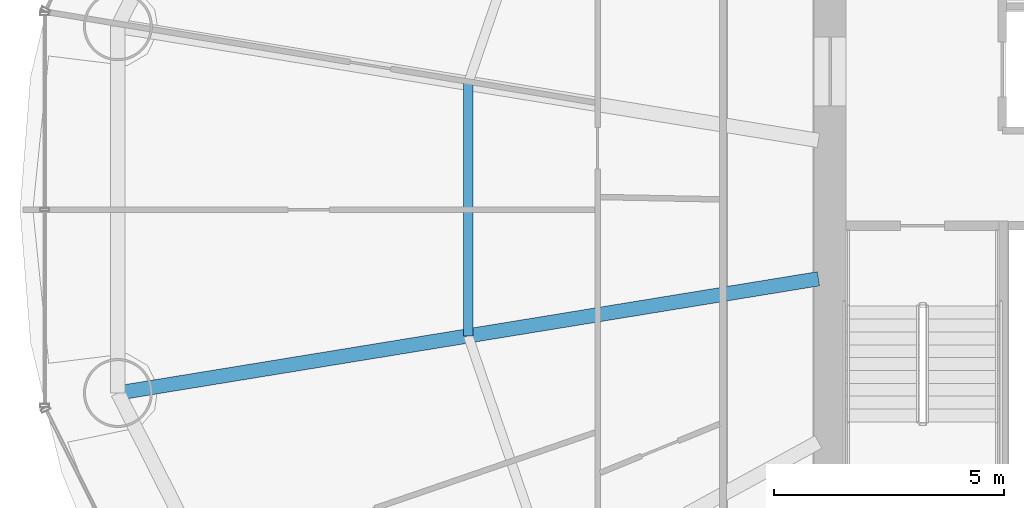
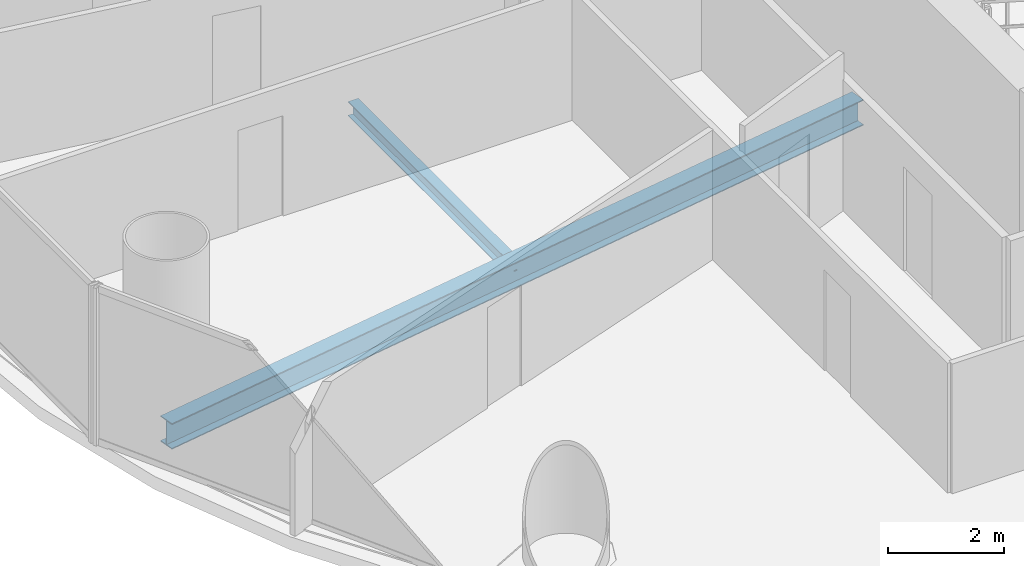
# One storey, part 8 of 29: 2 beams.
"""IFC4 building model written with IfcOpenShell, lengths in metres."""

from ifc_helpers import new_model, si_unit, direction, frame, origin, origin_2d, place, context, subcontext, project, spatial, i_section, extrude, material, material_profile, profile_set, type_object, element, save


model = new_model("IFC4")

# Units and contexts
model_context = context("Model", 3, precision=1e-05, world=origin(), true_north=direction((-0.2419218956, 0.970295726276)))
body_context = subcontext(model_context, "Body", "Model", "MODEL_VIEW")
ifc_project = project(units=[si_unit("LENGTHUNIT", "METRE"), si_unit("AREAUNIT", "SQUARE_METRE"), si_unit("VOLUMEUNIT", "CUBIC_METRE"), si_unit("PLANEANGLEUNIT", "RADIAN"), si_unit("MASSUNIT", "GRAM", prefix="KILO")], contexts=[model_context])

# Site, building, storey
site_placement = place(None, origin())
site = spatial("IfcSite", under=ifc_project, at=site_placement, CompositionType="ELEMENT")
building_placement = place(site_placement, origin())
building = spatial("IfcBuilding", under=site, at=building_placement, Name="Cobrevalo Terracotta Tower", CompositionType="ELEMENT")
storey_placement = place(building_placement, frame((0.0, 0.0, 119.39990234375)))
storey = spatial("IfcBuildingStorey", under=building, at=storey_placement, Name="L31", CompositionType="ELEMENT", Elevation=119.39990234375)

# Beams
ifc_material = material(Name="Steel S355", Category="steel")
ifc_material_profile_1 = material_profile(ifc_material, i_section(OverallWidth=0.31201171875, OverallDepth=0.54296875, WebThickness=0.0126953125, FlangeThickness=0.020263671875, at=origin_2d()), Name="W 530x150")
ifc_profile_set_1 = profile_set([ifc_material_profile_1], Name="Steel S355")
beam_type_1 = type_object("IfcBeamType", Name="Structural Beam W 530x150 (Steel S355)", PredefinedType="BEAM", material=ifc_profile_set_1)
beam_1_placement = place(storey_placement, frame((13.529296875, 22.810302734375, -0.54638671875), z_axis=(0.986968056587, 0.160916298977, 0.0), x_axis=(-0.160916298977, 0.986968056587, 0.0)))
element("IfcBeam", 1, at=beam_1_placement, inside=storey, type_object=beam_type_1, Name="L31 radial floor girder 09", PredefinedType="BEAM", context=body_context, shape_type="SweptSolid", body=[
    extrude(i_section(OverallWidth=0.31201171875, OverallDepth=0.54296875, WebThickness=0.0126953125, FlangeThickness=0.020263671875, at=origin_2d()), origin(), (0.0, 0.0, 1.0), 15.44189453125),
])
ifc_material_profile_2 = material_profile(ifc_material, i_section(OverallWidth=0.2041015625, OverallDepth=0.305908203125, WebThickness=0.008544921875, FlangeThickness=0.0146484375, at=origin_2d()), Name="W 310x67")
ifc_profile_set_2 = profile_set([ifc_material_profile_2], Name="Steel S355")
beam_type_2 = type_object("IfcBeamType", Name="Structural Joist W 310x67 (Steel S355)", PredefinedType="JOIST", material=ifc_profile_set_2)
beam_2_placement = place(storey_placement, frame((21.149658203125, 29.547119140625, -0.427978515625), z_axis=(0.0, -1.0, 0.0), x_axis=(1.0, 0.0, 0.0)))
element("IfcBeam", 2, at=beam_2_placement, inside=storey, type_object=beam_type_2, Name="L31 circumferential secondary floor joist 08", PredefinedType="JOIST", context=body_context, shape_type="SweptSolid", body=[
    extrude(i_section(OverallWidth=0.2041015625, OverallDepth=0.305908203125, WebThickness=0.008544921875, FlangeThickness=0.0146484375, at=origin_2d()), origin(), (0.0, 0.0, 1.0), 5.494384765625),
])

save(model, "model.ifc")
